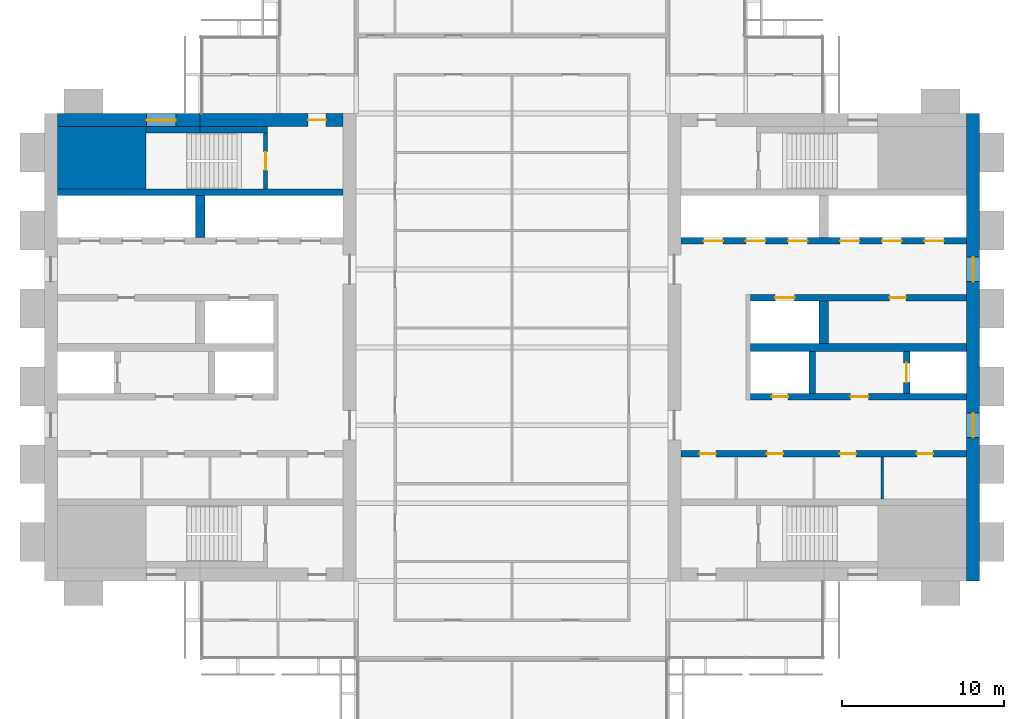
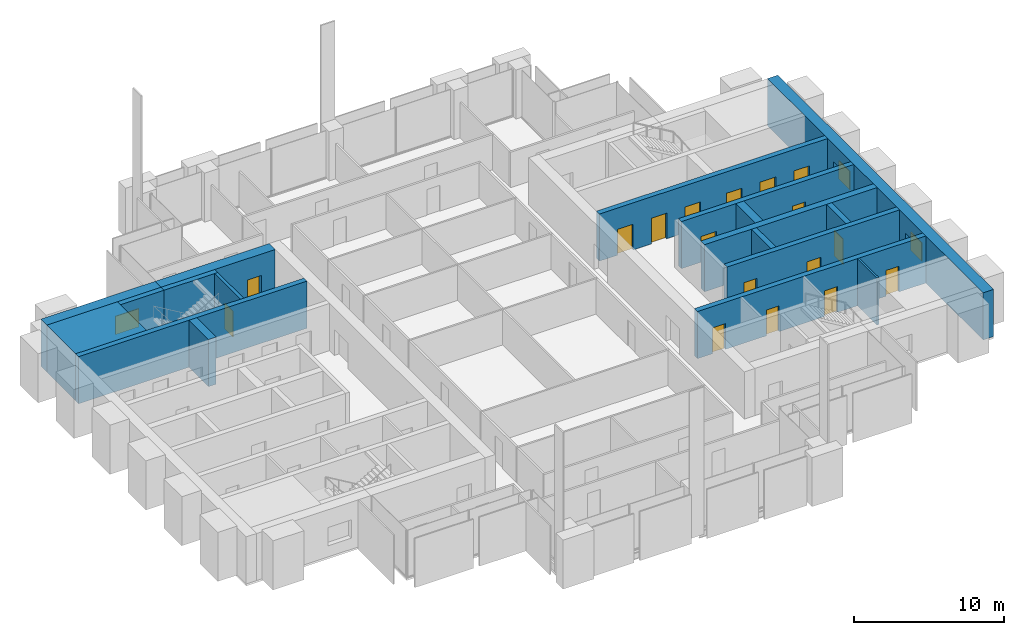
# One storey, part 10 of 13: 18 walls, 17 doors, 3 windows, 20 openings.
"""IFC4 building model written with IfcOpenShell, lengths in metres."""

from ifc_helpers import new_model, si_unit, direction, frame, frame_2d, origin, place, context, subcontext, project, spatial, rectangle, extrude, material, layer, layer_set, type_object, element, fill, save


model = new_model("IFC4")

# Units and contexts
model_context = context("Model", 3, precision=1e-05, world=origin(), true_north=direction((0.0, 1.0)))
body_context = subcontext(model_context, "Body", "Model", "MODEL_VIEW")
ifc_project = project(units=[si_unit("LENGTHUNIT", "METRE"), si_unit("AREAUNIT", "SQUARE_METRE"), si_unit("VOLUMEUNIT", "CUBIC_METRE"), si_unit("PLANEANGLEUNIT", "RADIAN"), si_unit("MASSUNIT", "GRAM", prefix="KILO")], contexts=[model_context])

# Site, building, storey
site_placement = place(None, origin())
site = spatial("IfcSite", under=ifc_project, at=site_placement, CompositionType="ELEMENT")
building_placement = place(site_placement, origin())
building = spatial("IfcBuilding", under=site, at=building_placement, Name="Baori Bourse Tower", CompositionType="ELEMENT")
storey_placement = place(building_placement, frame((0.0, 0.0, 201.199951171875)))
storey = spatial("IfcBuildingStorey", under=building, at=storey_placement, Name="L43", CompositionType="ELEMENT", Elevation=201.199951171875)

# Walls
ifc_material_1 = material(Name="Concrete f'c 50 MPa", Category="concrete")
wall_type_1 = type_object("IfcWallType", Name="Core corner block f'c 50", PredefinedType="SHEAR", material=ifc_material_1)
wall_1_placement = place(storey_placement, frame((0.800048828125, 35.675048828125, 0.0), z_axis=(0.0, 0.0, 1.0), x_axis=(1.0, 0.0, 0.0)))
element("IfcWall", 1, at=wall_1_placement, inside=storey, type_object=wall_type_1, Name="Core wall W24", PredefinedType="SHEAR", context=body_context, shape_type="SweptSolid", body=[
    extrude(rectangle(XDim=5.449951171875, YDim=3.85009765625, at=frame_2d((2.72509765625, 0.0))), origin(), (0.0, 0.0, 1.0), 3.840087890625),
])
ifc_material_2 = material(Name="Blockwork partition", Category="masonry")
ifc_layer_1 = layer(ifc_material_2, 0.14990234375)
ifc_layer_set_1 = layer_set([ifc_layer_1], Name="Core partition 150")
wall_type_2 = type_object("IfcWallType", Name="Core partition 150", PredefinedType="PARTITIONING", material=ifc_layer_set_1)
wall_2_placement = place(storey_placement, frame((51.60009765625, 14.64990234375, 0.0), z_axis=(0.0, 0.0, 1.0), x_axis=(0.0, 1.0, 0.0)))
element("IfcWall", 2, at=wall_2_placement, inside=storey, type_object=wall_type_2, Name="Partition wall E10", PredefinedType="PARTITIONING", context=body_context, shape_type="SweptSolid", body=[
    extrude(rectangle(XDim=2.60009765625, YDim=0.14990234375, at=frame_2d((1.300048828125, 0.0))), origin(), (0.0, 0.0, 1.0), 3.840087890625),
])

# Wall, opening, window
ifc_material_3 = material(Name="Concrete f'c 50 MPa", Category="concrete")
ifc_layer_2 = layer(ifc_material_3, 0.800048828125)
ifc_layer_set_2 = layer_set([ifc_layer_2], Name="Core wall 800 f'c 50")
wall_type_3 = type_object("IfcWallType", Name="Core wall 800 f'c 50", PredefinedType="SHEAR", material=ifc_layer_set_2)
wall_3_placement = place(storey_placement, frame((0.800048828125, 38.0, 0.0), z_axis=(0.0, 0.0, 1.0), x_axis=(1.0, 0.0, 0.0)))
wall_3 = element("IfcWall", 3, at=wall_3_placement, inside=storey, type_object=wall_type_3, Name="Core wall W28", PredefinedType="SHEAR", context=body_context, shape_type="SweptSolid", body=[
    extrude(rectangle(XDim=8.800048828125, YDim=0.800048828125, at=frame_2d((4.39990234375, 0.0))), origin(), (0.0, 0.0, 1.0), 3.840087890625),
])
opening_1_placement = place(wall_3_placement, frame((5.5, 0.0, 0.89990234375)))
opening_1 = element("IfcOpeningElement", 4, at=opening_1_placement, cuts=wall_3, Name="Opening L43-KW104", PredefinedType="OPENING", context=body_context, shape_type="SweptSolid", body=[
    extrude(rectangle(XDim=1.800048828125, YDim=1.5, at=frame_2d((0.89990234375, 0.75))), frame((0.0, 0.409912109375, 0.0), z_axis=(0.0, -1.0, 0.0), x_axis=(1.0, 0.0, 0.0)), (0.0, 0.0, 1.0), 0.820068359375),
])
ifc_material_4 = material(Name="Pale anodised aluminium", Category="aluminium")
window_type_1 = type_object("IfcWindowType", Name="Stair window 1800 x 1500", PartitioningType="SINGLE_PANEL", PredefinedType="WINDOW", material=ifc_material_4)
window_1_placement = place(opening_1_placement, origin())
window_1 = element("IfcWindow", 5, at=window_1_placement, inside=storey, type_object=window_type_1, Name="Stair window W L43 4", OverallHeight=1.5, OverallWidth=1.800048828125, PartitioningType="SINGLE_PANEL", PredefinedType="WINDOW", context=body_context, shape_type="SweptSolid", body=[
    extrude(rectangle(XDim=1.800048828125, YDim=1.5, at=frame_2d((0.89990234375, 0.75))), frame((0.0, 0.030029296875, 0.0), z_axis=(0.0, -1.0, 0.0), x_axis=(1.0, 0.0, 0.0)), (0.0, 0.0, 1.0), 0.06005859375),
])
fill(opening_1, window_1)

# Wall, opening, door
wall_4_placement = place(storey_placement, frame((9.60009765625, 38.0, 0.0), z_axis=(0.0, 0.0, 1.0), x_axis=(1.0, 0.0, 0.0)))
wall_4 = element("IfcWall", 6, at=wall_4_placement, inside=storey, type_object=wall_type_3, Name="Core wall W29", PredefinedType="SHEAR", context=body_context, shape_type="SweptSolid", body=[
    extrude(rectangle(XDim=8.7998046875, YDim=0.800048828125, at=frame_2d((4.39990234375, 0.0))), origin(), (0.0, 0.0, 1.0), 3.840087890625),
])
opening_2_placement = place(wall_4_placement, frame((6.64990234375, 0.0, 0.0)))
opening_2 = element("IfcOpeningElement", 7, at=opening_2_placement, cuts=wall_4, Name="Opening L43-D104", PredefinedType="OPENING", context=body_context, shape_type="SweptSolid", body=[
    extrude(rectangle(XDim=1.10009765625, YDim=2.10009765625, at=frame_2d((0.550048828125, 1.050048828125))), frame((0.0, 0.409912109375, 0.0), z_axis=(0.0, -1.0, 0.0), x_axis=(1.0, 0.0, 0.0)), (0.0, 0.0, 1.0), 0.820068359375),
])
ifc_material_5 = material(Name="Painted steel door", Category="steel")
door_type_1 = type_object("IfcDoorType", Name="Stair door 1100", OperationType="SINGLE_SWING_LEFT", PredefinedType="DOOR", material=ifc_material_5)
door_1_placement = place(opening_2_placement, origin())
door_1 = element("IfcDoor", 8, at=door_1_placement, inside=storey, type_object=door_type_1, Name="Stair vestibule door B W L43", OperationType="SINGLE_SWING_LEFT", OverallHeight=2.10009765625, OverallWidth=1.10009765625, PredefinedType="DOOR", context=body_context, shape_type="SweptSolid", body=[
    extrude(rectangle(XDim=1.10009765625, YDim=2.10009765625, at=frame_2d((0.550048828125, 1.050048828125))), frame((0.0, 0.02490234375, 0.0), z_axis=(0.0, -1.0, 0.0), x_axis=(1.0, 0.0, 0.0)), (0.0, 0.0, 1.0), 0.050048828125),
])
fill(opening_2, door_1)

# Wall, openings, windows
wall_5_placement = place(storey_placement, frame((57.199951171875, 38.39990234375, 0.0), z_axis=(0.0, 0.0, 1.0), x_axis=(0.0, -1.0, 0.0)))
wall_5 = element("IfcWall", 9, at=wall_5_placement, inside=storey, type_object=wall_type_3, Name="Core wall E01", PredefinedType="SHEAR", context=body_context, shape_type="SweptSolid", body=[
    extrude(rectangle(XDim=28.7998046875, YDim=0.800048828125, at=frame_2d((14.39990234375, 0.0))), origin(), (0.0, 0.0, 1.0), 3.840087890625),
])
opening_3_placement = place(wall_5_placement, frame((18.449951171875, 0.0, 0.89990234375)))
opening_3 = element("IfcOpeningElement", 10, at=opening_3_placement, cuts=wall_5, Name="Opening L43-KW201", PredefinedType="OPENING", context=body_context, shape_type="SweptSolid", body=[
    extrude(rectangle(XDim=1.5, YDim=1.5, at=frame_2d((0.75, 0.75))), frame((0.0, 0.409912109375, 0.0), z_axis=(0.0, -1.0, 0.0), x_axis=(1.0, 0.0, 0.0)), (0.0, 0.0, 1.0), 0.820068359375),
])
opening_4_placement = place(wall_5_placement, frame((8.85009765625, 0.0, 0.89990234375)))
opening_4 = element("IfcOpeningElement", 11, at=opening_4_placement, cuts=wall_5, Name="Opening L43-KW202", PredefinedType="OPENING", context=body_context, shape_type="SweptSolid", body=[
    extrude(rectangle(XDim=1.5, YDim=1.5, at=frame_2d((0.75, 0.75))), frame((0.0, 0.409912109375, 0.0), z_axis=(0.0, -1.0, 0.0), x_axis=(1.0, 0.0, 0.0)), (0.0, 0.0, 1.0), 0.820068359375),
])
ifc_material_6 = material(Name="Pale anodised aluminium", Category="aluminium")
window_type_2 = type_object("IfcWindowType", Name="Lobby window 1500 x 1500", PartitioningType="SINGLE_PANEL", PredefinedType="WINDOW", material=ifc_material_6)
window_2_placement = place(opening_3_placement, origin())
window_2 = element("IfcWindow", 12, at=window_2_placement, inside=storey, type_object=window_type_2, Name="Outer wall window E L43 1", OverallHeight=1.5, OverallWidth=1.5, PartitioningType="SINGLE_PANEL", PredefinedType="WINDOW", context=body_context, shape_type="SweptSolid", body=[
    extrude(rectangle(XDim=1.5, YDim=1.5, at=frame_2d((0.75, 0.75))), frame((0.0, 0.030029296875, 0.0), z_axis=(0.0, -1.0, 0.0), x_axis=(1.0, 0.0, 0.0)), (0.0, 0.0, 1.0), 0.06005859375),
])
fill(opening_3, window_2)
window_3_placement = place(opening_4_placement, origin())
window_3 = element("IfcWindow", 13, at=window_3_placement, inside=storey, type_object=window_type_2, Name="Outer wall window E L43 2", OverallHeight=1.5, OverallWidth=1.5, PartitioningType="SINGLE_PANEL", PredefinedType="WINDOW", context=body_context, shape_type="SweptSolid", body=[
    extrude(rectangle(XDim=1.5, YDim=1.5, at=frame_2d((0.75, 0.75))), frame((0.0, 0.030029296875, 0.0), z_axis=(0.0, -1.0, 0.0), x_axis=(1.0, 0.0, 0.0)), (0.0, 0.0, 1.0), 0.06005859375),
])
fill(opening_4, window_3)

# Wall, opening, door
ifc_material_7 = material(Name="Concrete f'c 50 MPa", Category="concrete")
ifc_layer_3 = layer(ifc_material_7, 0.25)
ifc_layer_set_3 = layer_set([ifc_layer_3], Name="Shaft wall 250 f'c 50")
wall_type_4 = type_object("IfcWallType", Name="Shaft wall 250 f'c 50", PredefinedType="SHEAR", material=ifc_layer_set_3)
wall_6_placement = place(storey_placement, frame((13.625, 33.75, 0.0), z_axis=(0.0, 0.0, 1.0), x_axis=(0.0, 1.0, 0.0)))
wall_6 = element("IfcWall", 14, at=wall_6_placement, inside=storey, type_object=wall_type_4, Name="Core wall W25", PredefinedType="SHEAR", context=body_context, shape_type="SweptSolid", body=[
    extrude(rectangle(XDim=3.449951171875, YDim=0.25, at=frame_2d((1.72509765625, 0.0))), origin(), (0.0, 0.0, 1.0), 3.840087890625),
])
opening_5_placement = place(wall_6_placement, frame((1.175048828125, 0.0, 0.0)))
opening_5 = element("IfcOpeningElement", 15, at=opening_5_placement, cuts=wall_6, Name="Opening L43-D103", PredefinedType="OPENING", context=body_context, shape_type="SweptSolid", body=[
    extrude(rectangle(XDim=1.10009765625, YDim=2.10009765625, at=frame_2d((0.550048828125, 1.050048828125))), frame((0.0, 0.135009765625, 0.0), z_axis=(0.0, -1.0, 0.0), x_axis=(1.0, 0.0, 0.0)), (0.0, 0.0, 1.0), 0.27001953125),
])
door_2_placement = place(opening_5_placement, origin())
door_2 = element("IfcDoor", 16, at=door_2_placement, inside=storey, type_object=door_type_1, Name="Stair door B W L43", OperationType="SINGLE_SWING_LEFT", OverallHeight=2.10009765625, OverallWidth=1.10009765625, PredefinedType="DOOR", context=body_context, shape_type="SweptSolid", body=[
    extrude(rectangle(XDim=1.10009765625, YDim=2.10009765625, at=frame_2d((0.550048828125, 1.050048828125))), frame((0.0, 0.02490234375, 0.0), z_axis=(0.0, -1.0, 0.0), x_axis=(1.0, 0.0, 0.0)), (0.0, 0.0, 1.0), 0.050048828125),
])
fill(opening_5, door_2)

# Walls
ifc_material_8 = material(Name="Concrete f'c 50 MPa", Category="concrete")
ifc_layer_4 = layer(ifc_material_8, 0.39990234375)
ifc_layer_set_4 = layer_set([ifc_layer_4], Name="Shaft wall 400 f'c 50")
wall_type_5 = type_object("IfcWallType", Name="Shaft wall 400 f'c 50", PredefinedType="SHEAR", material=ifc_layer_set_4)
wall_7_placement = place(storey_placement, frame((0.800048828125, 33.550048828125, 0.0), z_axis=(0.0, 0.0, 1.0), x_axis=(1.0, 0.0, 0.0)))
element("IfcWall", 17, at=wall_7_placement, inside=storey, type_object=wall_type_5, Name="Core wall W23", PredefinedType="SHEAR", context=body_context, shape_type="SweptSolid", body=[
    extrude(rectangle(XDim=17.599853515625, YDim=0.39990234375, at=frame_2d((8.7998046875, 0.0))), origin(), (0.0, 0.0, 1.0), 3.840087890625),
])
wall_8_placement = place(storey_placement, frame((6.25, 37.39990234375, 0.0), z_axis=(0.0, 0.0, 1.0), x_axis=(1.0, 0.0, 0.0)))
element("IfcWall", 18, at=wall_8_placement, inside=storey, type_object=wall_type_5, Name="Core wall W26", PredefinedType="SHEAR", context=body_context, shape_type="SweptSolid", body=[
    extrude(rectangle(XDim=3.35009765625, YDim=0.39990234375, at=frame_2d((1.675048828125, 0.0))), origin(), (0.0, 0.0, 1.0), 3.840087890625),
])
wall_9_placement = place(storey_placement, frame((9.60009765625, 37.39990234375, 0.0), z_axis=(0.0, 0.0, 1.0), x_axis=(1.0, 0.0, 0.0)))
element("IfcWall", 19, at=wall_9_placement, inside=storey, type_object=wall_type_5, Name="Core wall W27", PredefinedType="SHEAR", context=body_context, shape_type="SweptSolid", body=[
    extrude(rectangle(XDim=4.14990234375, YDim=0.39990234375, at=frame_2d((2.074951171875, 0.0))), origin(), (0.0, 0.0, 1.0), 3.840087890625),
])

# Wall, openings, doors
wall_10_placement = place(storey_placement, frame((39.199951171875, 17.449951171875, 0.0), z_axis=(0.0, 0.0, 1.0), x_axis=(1.0, 0.0, 0.0)))
wall_10 = element("IfcWall", 20, at=wall_10_placement, inside=storey, type_object=wall_type_5, Name="Core wall E13", PredefinedType="SHEAR", context=body_context, shape_type="SweptSolid", body=[
    extrude(rectangle(XDim=17.60009765625, YDim=0.39990234375, at=frame_2d((8.800048828125, 0.0))), origin(), (0.0, 0.0, 1.0), 3.840087890625),
])
opening_6_placement = place(wall_10_placement, frame((14.53759765625, 0.0, 0.0)))
opening_6 = element("IfcOpeningElement", 21, at=opening_6_placement, cuts=wall_10, Name="Opening L43-D209", PredefinedType="OPENING", context=body_context, shape_type="SweptSolid", body=[
    extrude(rectangle(XDim=1.0, YDim=2.10009765625, at=frame_2d((0.5, 1.050048828125))), frame((0.0, 0.2099609375, 0.0), z_axis=(0.0, -1.0, 0.0), x_axis=(1.0, 0.0, 0.0)), (0.0, 0.0, 1.0), 0.419921875),
])
opening_7_placement = place(wall_10_placement, frame((9.800048828125, 0.0, 0.0)))
opening_7 = element("IfcOpeningElement", 22, at=opening_7_placement, cuts=wall_10, Name="Opening L43-D210", PredefinedType="OPENING", context=body_context, shape_type="SweptSolid", body=[
    extrude(rectangle(XDim=1.0, YDim=2.10009765625, at=frame_2d((0.5, 1.050048828125))), frame((0.0, 0.2099609375, 0.0), z_axis=(0.0, -1.0, 0.0), x_axis=(1.0, 0.0, 0.0)), (0.0, 0.0, 1.0), 0.419921875),
])
opening_8_placement = place(wall_10_placement, frame((5.300048828125, 0.0, 0.0)))
opening_8 = element("IfcOpeningElement", 23, at=opening_8_placement, cuts=wall_10, Name="Opening L43-D211", PredefinedType="OPENING", context=body_context, shape_type="SweptSolid", body=[
    extrude(rectangle(XDim=1.0, YDim=2.10009765625, at=frame_2d((0.5, 1.050048828125))), frame((0.0, 0.2099609375, 0.0), z_axis=(0.0, -1.0, 0.0), x_axis=(1.0, 0.0, 0.0)), (0.0, 0.0, 1.0), 0.419921875),
])
opening_9_placement = place(wall_10_placement, frame((1.16259765625, 0.0, 0.0)))
opening_9 = element("IfcOpeningElement", 24, at=opening_9_placement, cuts=wall_10, Name="Opening L43-D212", PredefinedType="OPENING", context=body_context, shape_type="SweptSolid", body=[
    extrude(rectangle(XDim=1.0, YDim=2.10009765625, at=frame_2d((0.5, 1.050048828125))), frame((0.0, 0.2099609375, 0.0), z_axis=(0.0, -1.0, 0.0), x_axis=(1.0, 0.0, 0.0)), (0.0, 0.0, 1.0), 0.419921875),
])
ifc_material_9 = material(Name="Painted steel door", Category="steel")
door_type_2 = type_object("IfcDoorType", Name="Core door 1000", OperationType="SINGLE_SWING_LEFT", PredefinedType="DOOR", material=ifc_material_9)
door_3_placement = place(opening_6_placement, origin())
door_3 = element("IfcDoor", 25, at=door_3_placement, inside=storey, type_object=door_type_2, Name="Men'S Wc door E L43", OperationType="SINGLE_SWING_LEFT", OverallHeight=2.10009765625, OverallWidth=1.0, PredefinedType="DOOR", context=body_context, shape_type="SweptSolid", body=[
    extrude(rectangle(XDim=1.0, YDim=2.10009765625, at=frame_2d((0.5, 1.050048828125))), frame((0.0, 0.02490234375, 0.0), z_axis=(0.0, -1.0, 0.0), x_axis=(1.0, 0.0, 0.0)), (0.0, 0.0, 1.0), 0.050048828125),
])
fill(opening_6, door_3)
door_4_placement = place(opening_7_placement, origin())
door_4 = element("IfcDoor", 26, at=door_4_placement, inside=storey, type_object=door_type_2, Name="Accessible Wc door E L43", OperationType="SINGLE_SWING_LEFT", OverallHeight=2.10009765625, OverallWidth=1.0, PredefinedType="DOOR", context=body_context, shape_type="SweptSolid", body=[
    extrude(rectangle(XDim=1.0, YDim=2.10009765625, at=frame_2d((0.5, 1.050048828125))), frame((0.0, 0.02490234375, 0.0), z_axis=(0.0, -1.0, 0.0), x_axis=(1.0, 0.0, 0.0)), (0.0, 0.0, 1.0), 0.050048828125),
])
fill(opening_7, door_4)
door_5_placement = place(opening_8_placement, origin())
door_5 = element("IfcDoor", 27, at=door_5_placement, inside=storey, type_object=door_type_2, Name="Women'S Wc door E L43", OperationType="SINGLE_SWING_LEFT", OverallHeight=2.10009765625, OverallWidth=1.0, PredefinedType="DOOR", context=body_context, shape_type="SweptSolid", body=[
    extrude(rectangle(XDim=1.0, YDim=2.10009765625, at=frame_2d((0.5, 1.050048828125))), frame((0.0, 0.02490234375, 0.0), z_axis=(0.0, -1.0, 0.0), x_axis=(1.0, 0.0, 0.0)), (0.0, 0.0, 1.0), 0.050048828125),
])
fill(opening_8, door_5)
ifc_material_10 = material(Name="Painted steel door", Category="steel")
door_type_3 = type_object("IfcDoorType", Name="Plant room door 1000", OperationType="SINGLE_SWING_LEFT", PredefinedType="DOOR", material=ifc_material_10)
door_6_placement = place(opening_9_placement, origin())
door_6 = element("IfcDoor", 28, at=door_6_placement, inside=storey, type_object=door_type_3, Name="Plumbing Equipment Room door E L43", OperationType="SINGLE_SWING_LEFT", OverallHeight=2.10009765625, OverallWidth=1.0, PredefinedType="DOOR", context=body_context, shape_type="SweptSolid", body=[
    extrude(rectangle(XDim=1.0, YDim=2.10009765625, at=frame_2d((0.5, 1.050048828125))), frame((0.0, 0.02490234375, 0.0), z_axis=(0.0, -1.0, 0.0), x_axis=(1.0, 0.0, 0.0)), (0.0, 0.0, 1.0), 0.050048828125),
])
fill(opening_9, door_6)

wall_11_placement = place(storey_placement, frame((43.5, 20.949951171875, 0.0), z_axis=(0.0, 0.0, 1.0), x_axis=(1.0, 0.0, 0.0)))
wall_11 = element("IfcWall", 29, at=wall_11_placement, inside=storey, type_object=wall_type_5, Name="Core wall E14", PredefinedType="SHEAR", context=body_context, shape_type="SweptSolid", body=[
    extrude(rectangle(XDim=13.300048828125, YDim=0.39990234375, at=frame_2d((6.64990234375, 0.0))), origin(), (0.0, 0.0, 1.0), 3.840087890625),
])
opening_10_placement = place(wall_11_placement, frame((6.14990234375, 0.0, 0.0)))
opening_10 = element("IfcOpeningElement", 30, at=opening_10_placement, cuts=wall_11, Name="Opening L43-D205", PredefinedType="OPENING", context=body_context, shape_type="SweptSolid", body=[
    extrude(rectangle(XDim=1.10009765625, YDim=2.10009765625, at=frame_2d((0.550048828125, 1.050048828125))), frame((0.0, 0.2099609375, 0.0), z_axis=(0.0, -1.0, 0.0), x_axis=(1.0, 0.0, 0.0)), (0.0, 0.0, 1.0), 0.419921875),
])
opening_11_placement = place(wall_11_placement, frame((1.300048828125, 0.0, 0.0)))
opening_11 = element("IfcOpeningElement", 31, at=opening_11_placement, cuts=wall_11, Name="Opening L43-D206", PredefinedType="OPENING", context=body_context, shape_type="SweptSolid", body=[
    extrude(rectangle(XDim=1.0, YDim=2.10009765625, at=frame_2d((0.5, 1.050048828125))), frame((0.0, 0.2099609375, 0.0), z_axis=(0.0, -1.0, 0.0), x_axis=(1.0, 0.0, 0.0)), (0.0, 0.0, 1.0), 0.419921875),
])
ifc_material_11 = material(Name="Painted steel door", Category="steel")
door_type_4 = type_object("IfcDoorType", Name="Lobby door 1100", OperationType="SINGLE_SWING_LEFT", PredefinedType="DOOR", material=ifc_material_11)
door_7_placement = place(opening_10_placement, origin())
door_7 = element("IfcDoor", 32, at=door_7_placement, inside=storey, type_object=door_type_4, Name="Firefighting lobby door E L43", OperationType="SINGLE_SWING_LEFT", OverallHeight=2.10009765625, OverallWidth=1.10009765625, PredefinedType="DOOR", context=body_context, shape_type="SweptSolid", body=[
    extrude(rectangle(XDim=1.10009765625, YDim=2.10009765625, at=frame_2d((0.550048828125, 1.050048828125))), frame((0.0, 0.02490234375, 0.0), z_axis=(0.0, -1.0, 0.0), x_axis=(1.0, 0.0, 0.0)), (0.0, 0.0, 1.0), 0.050048828125),
])
fill(opening_10, door_7)
ifc_material_12 = material(Name="Painted steel door", Category="steel")
door_type_5 = type_object("IfcDoorType", Name="Shaft door 1000", OperationType="SINGLE_SWING_LEFT", PredefinedType="DOOR", material=ifc_material_12)
door_8_placement = place(opening_11_placement, origin())
door_8 = element("IfcDoor", 33, at=door_8_placement, inside=storey, type_object=door_type_5, Name="Riser room door E L43", OperationType="SINGLE_SWING_LEFT", OverallHeight=2.10009765625, OverallWidth=1.0, PredefinedType="DOOR", context=body_context, shape_type="SweptSolid", body=[
    extrude(rectangle(XDim=1.0, YDim=2.10009765625, at=frame_2d((0.5, 1.050048828125))), frame((0.0, 0.02490234375, 0.0), z_axis=(0.0, -1.0, 0.0), x_axis=(1.0, 0.0, 0.0)), (0.0, 0.0, 1.0), 0.050048828125),
])
fill(opening_11, door_8)

# Wall, opening, door
wall_12_placement = place(storey_placement, frame((53.10009765625, 21.14990234375, 0.0), z_axis=(0.0, 0.0, 1.0), x_axis=(0.0, 1.0, 0.0)))
wall_12 = element("IfcWall", 34, at=wall_12_placement, inside=storey, type_object=wall_type_5, Name="Core wall E16", PredefinedType="SHEAR", context=body_context, shape_type="SweptSolid", body=[
    extrude(rectangle(XDim=2.60009765625, YDim=0.39990234375, at=frame_2d((1.300048828125, 0.0))), origin(), (0.0, 0.0, 1.0), 3.840087890625),
])
opening_12_placement = place(wall_12_placement, frame((0.699951171875, 0.0, 0.0)))
opening_12 = element("IfcOpeningElement", 35, at=opening_12_placement, cuts=wall_12, Name="Opening L43-D221", PredefinedType="OPENING", context=body_context, shape_type="SweptSolid", body=[
    extrude(rectangle(XDim=1.199951171875, YDim=2.10009765625, at=frame_2d((0.60009765625, 1.050048828125))), frame((0.0, 0.2099609375, 0.0), z_axis=(0.0, -1.0, 0.0), x_axis=(1.0, 0.0, 0.0)), (0.0, 0.0, 1.0), 0.419921875),
])
ifc_material_13 = material(Name="Stainless steel door", Category="steel")
door_type_6 = type_object("IfcDoorType", Name="Lift landing door", OperationType="DOUBLE_DOOR_SLIDING", PredefinedType="DOOR", material=ifc_material_13)
door_9_placement = place(opening_12_placement, origin())
door_9 = element("IfcDoor", 36, at=door_9_placement, inside=storey, type_object=door_type_6, Name="Lift landing door FF2 E L43", OperationType="DOUBLE_DOOR_SLIDING", OverallHeight=2.10009765625, OverallWidth=1.199951171875, PredefinedType="DOOR", context=body_context, shape_type="SweptSolid", body=[
    extrude(rectangle(XDim=1.199951171875, YDim=2.10009765625, at=frame_2d((0.60009765625, 1.050048828125))), frame((0.0, 0.02490234375, 0.0), z_axis=(0.0, -1.0, 0.0), x_axis=(1.0, 0.0, 0.0)), (0.0, 0.0, 1.0), 0.050048828125),
])
fill(opening_12, door_9)

# Wall
wall_13_placement = place(storey_placement, frame((47.300048828125, 21.14990234375, 0.0), z_axis=(0.0, 0.0, 1.0), x_axis=(0.0, 1.0, 0.0)))
element("IfcWall", 37, at=wall_13_placement, inside=storey, type_object=wall_type_5, Name="Core wall E17", PredefinedType="SHEAR", context=body_context, shape_type="SweptSolid", body=[
    extrude(rectangle(XDim=2.60009765625, YDim=0.39990234375, at=frame_2d((1.300048828125, 0.0))), origin(), (0.0, 0.0, 1.0), 3.840087890625),
])

# Wall, openings, doors
wall_14_placement = place(storey_placement, frame((43.5, 27.050048828125, 0.0), z_axis=(0.0, 0.0, 1.0), x_axis=(1.0, 0.0, 0.0)))
wall_14 = element("IfcWall", 38, at=wall_14_placement, inside=storey, type_object=wall_type_5, Name="Core wall E20", PredefinedType="SHEAR", context=body_context, shape_type="SweptSolid", body=[
    extrude(rectangle(XDim=13.300048828125, YDim=0.39990234375, at=frame_2d((6.64990234375, 0.0))), origin(), (0.0, 0.0, 1.0), 3.840087890625),
])
opening_13_placement = place(wall_14_placement, frame((8.550048828125, 0.0, 0.0)))
opening_13 = element("IfcOpeningElement", 39, at=opening_13_placement, cuts=wall_14, Name="Opening L43-D213", PredefinedType="OPENING", context=body_context, shape_type="SweptSolid", body=[
    extrude(rectangle(XDim=1.0, YDim=2.10009765625, at=frame_2d((0.5, 1.050048828125))), frame((0.0, 0.2099609375, 0.0), z_axis=(0.0, -1.0, 0.0), x_axis=(1.0, 0.0, 0.0)), (0.0, 0.0, 1.0), 0.419921875),
])
opening_14_placement = place(wall_14_placement, frame((1.5, 0.0, 0.0)))
opening_14 = element("IfcOpeningElement", 40, at=opening_14_placement, cuts=wall_14, Name="Opening L43-D220", PredefinedType="OPENING", context=body_context, shape_type="SweptSolid", body=[
    extrude(rectangle(XDim=1.199951171875, YDim=2.10009765625, at=frame_2d((0.60009765625, 1.050048828125))), frame((0.0, 0.2099609375, 0.0), z_axis=(0.0, -1.0, 0.0), x_axis=(1.0, 0.0, 0.0)), (0.0, 0.0, 1.0), 0.419921875),
])
door_10_placement = place(opening_13_placement, origin())
door_10 = element("IfcDoor", 41, at=door_10_placement, inside=storey, type_object=door_type_2, Name="Store Room door E L43", OperationType="SINGLE_SWING_LEFT", OverallHeight=2.10009765625, OverallWidth=1.0, PredefinedType="DOOR", context=body_context, shape_type="SweptSolid", body=[
    extrude(rectangle(XDim=1.0, YDim=2.10009765625, at=frame_2d((0.5, 1.050048828125))), frame((0.0, 0.02490234375, 0.0), z_axis=(0.0, -1.0, 0.0), x_axis=(1.0, 0.0, 0.0)), (0.0, 0.0, 1.0), 0.050048828125),
])
fill(opening_13, door_10)
door_11_placement = place(opening_14_placement, origin())
door_11 = element("IfcDoor", 42, at=door_11_placement, inside=storey, type_object=door_type_6, Name="Lift landing door SV1 E L43", OperationType="DOUBLE_DOOR_SLIDING", OverallHeight=2.10009765625, OverallWidth=1.199951171875, PredefinedType="DOOR", context=body_context, shape_type="SweptSolid", body=[
    extrude(rectangle(XDim=1.199951171875, YDim=2.10009765625, at=frame_2d((0.60009765625, 1.050048828125))), frame((0.0, 0.02490234375, 0.0), z_axis=(0.0, -1.0, 0.0), x_axis=(1.0, 0.0, 0.0)), (0.0, 0.0, 1.0), 0.050048828125),
])
fill(opening_14, door_11)

wall_15_placement = place(storey_placement, frame((39.199951171875, 30.550048828125, 0.0), z_axis=(0.0, 0.0, 1.0), x_axis=(1.0, 0.0, 0.0)))
wall_15 = element("IfcWall", 43, at=wall_15_placement, inside=storey, type_object=wall_type_5, Name="Core wall E21", PredefinedType="SHEAR", context=body_context, shape_type="SweptSolid", body=[
    extrude(rectangle(XDim=17.60009765625, YDim=0.39990234375, at=frame_2d((8.800048828125, 0.0))), origin(), (0.0, 0.0, 1.0), 3.840087890625),
])
opening_15_placement = place(wall_15_placement, frame((15.0, 0.0, 0.0)))
opening_15 = element("IfcOpeningElement", 44, at=opening_15_placement, cuts=wall_15, Name="Opening L43-D214", PredefinedType="OPENING", context=body_context, shape_type="SweptSolid", body=[
    extrude(rectangle(XDim=1.199951171875, YDim=2.10009765625, at=frame_2d((0.60009765625, 1.050048828125))), frame((0.0, 0.2099609375, 0.0), z_axis=(0.0, -1.0, 0.0), x_axis=(1.0, 0.0, 0.0)), (0.0, 0.0, 1.0), 0.419921875),
])
opening_16_placement = place(wall_15_placement, frame((12.39990234375, 0.0, 0.0)))
opening_16 = element("IfcOpeningElement", 45, at=opening_16_placement, cuts=wall_15, Name="Opening L43-D215", PredefinedType="OPENING", context=body_context, shape_type="SweptSolid", body=[
    extrude(rectangle(XDim=1.199951171875, YDim=2.10009765625, at=frame_2d((0.60009765625, 1.050048828125))), frame((0.0, 0.2099609375, 0.0), z_axis=(0.0, -1.0, 0.0), x_axis=(1.0, 0.0, 0.0)), (0.0, 0.0, 1.0), 0.419921875),
])
opening_17_placement = place(wall_15_placement, frame((9.800048828125, 0.0, 0.0)))
opening_17 = element("IfcOpeningElement", 46, at=opening_17_placement, cuts=wall_15, Name="Opening L43-D216", PredefinedType="OPENING", context=body_context, shape_type="SweptSolid", body=[
    extrude(rectangle(XDim=1.199951171875, YDim=2.10009765625, at=frame_2d((0.60009765625, 1.050048828125))), frame((0.0, 0.2099609375, 0.0), z_axis=(0.0, -1.0, 0.0), x_axis=(1.0, 0.0, 0.0)), (0.0, 0.0, 1.0), 0.419921875),
])
opening_18_placement = place(wall_15_placement, frame((6.60009765625, 0.0, 0.0)))
opening_18 = element("IfcOpeningElement", 47, at=opening_18_placement, cuts=wall_15, Name="Opening L43-D217", PredefinedType="OPENING", context=body_context, shape_type="SweptSolid", body=[
    extrude(rectangle(XDim=1.199951171875, YDim=2.10009765625, at=frame_2d((0.60009765625, 1.050048828125))), frame((0.0, 0.2099609375, 0.0), z_axis=(0.0, -1.0, 0.0), x_axis=(1.0, 0.0, 0.0)), (0.0, 0.0, 1.0), 0.419921875),
])
opening_19_placement = place(wall_15_placement, frame((4.0, 0.0, 0.0)))
opening_19 = element("IfcOpeningElement", 48, at=opening_19_placement, cuts=wall_15, Name="Opening L43-D218", PredefinedType="OPENING", context=body_context, shape_type="SweptSolid", body=[
    extrude(rectangle(XDim=1.199951171875, YDim=2.10009765625, at=frame_2d((0.60009765625, 1.050048828125))), frame((0.0, 0.2099609375, 0.0), z_axis=(0.0, -1.0, 0.0), x_axis=(1.0, 0.0, 0.0)), (0.0, 0.0, 1.0), 0.419921875),
])
opening_20_placement = place(wall_15_placement, frame((1.39990234375, 0.0, 0.0)))
opening_20 = element("IfcOpeningElement", 49, at=opening_20_placement, cuts=wall_15, Name="Opening L43-D219", PredefinedType="OPENING", context=body_context, shape_type="SweptSolid", body=[
    extrude(rectangle(XDim=1.199951171875, YDim=2.10009765625, at=frame_2d((0.60009765625, 1.050048828125))), frame((0.0, 0.2099609375, 0.0), z_axis=(0.0, -1.0, 0.0), x_axis=(1.0, 0.0, 0.0)), (0.0, 0.0, 1.0), 0.419921875),
])
door_12_placement = place(opening_15_placement, origin())
door_12 = element("IfcDoor", 50, at=door_12_placement, inside=storey, type_object=door_type_6, Name="Lift landing door HR1 E L43", OperationType="DOUBLE_DOOR_SLIDING", OverallHeight=2.10009765625, OverallWidth=1.199951171875, PredefinedType="DOOR", context=body_context, shape_type="SweptSolid", body=[
    extrude(rectangle(XDim=1.199951171875, YDim=2.10009765625, at=frame_2d((0.60009765625, 1.050048828125))), frame((0.0, 0.02490234375, 0.0), z_axis=(0.0, -1.0, 0.0), x_axis=(1.0, 0.0, 0.0)), (0.0, 0.0, 1.0), 0.050048828125),
])
fill(opening_15, door_12)
door_13_placement = place(opening_16_placement, origin())
door_13 = element("IfcDoor", 51, at=door_13_placement, inside=storey, type_object=door_type_6, Name="Lift landing door HR2 E L43", OperationType="DOUBLE_DOOR_SLIDING", OverallHeight=2.10009765625, OverallWidth=1.199951171875, PredefinedType="DOOR", context=body_context, shape_type="SweptSolid", body=[
    extrude(rectangle(XDim=1.199951171875, YDim=2.10009765625, at=frame_2d((0.60009765625, 1.050048828125))), frame((0.0, 0.02490234375, 0.0), z_axis=(0.0, -1.0, 0.0), x_axis=(1.0, 0.0, 0.0)), (0.0, 0.0, 1.0), 0.050048828125),
])
fill(opening_16, door_13)
door_14_placement = place(opening_17_placement, origin())
door_14 = element("IfcDoor", 52, at=door_14_placement, inside=storey, type_object=door_type_6, Name="Lift landing door HR3 E L43", OperationType="DOUBLE_DOOR_SLIDING", OverallHeight=2.10009765625, OverallWidth=1.199951171875, PredefinedType="DOOR", context=body_context, shape_type="SweptSolid", body=[
    extrude(rectangle(XDim=1.199951171875, YDim=2.10009765625, at=frame_2d((0.60009765625, 1.050048828125))), frame((0.0, 0.02490234375, 0.0), z_axis=(0.0, -1.0, 0.0), x_axis=(1.0, 0.0, 0.0)), (0.0, 0.0, 1.0), 0.050048828125),
])
fill(opening_17, door_14)
door_15_placement = place(opening_18_placement, origin())
door_15 = element("IfcDoor", 53, at=door_15_placement, inside=storey, type_object=door_type_6, Name="Lift landing door HR4 E L43", OperationType="DOUBLE_DOOR_SLIDING", OverallHeight=2.10009765625, OverallWidth=1.199951171875, PredefinedType="DOOR", context=body_context, shape_type="SweptSolid", body=[
    extrude(rectangle(XDim=1.199951171875, YDim=2.10009765625, at=frame_2d((0.60009765625, 1.050048828125))), frame((0.0, 0.02490234375, 0.0), z_axis=(0.0, -1.0, 0.0), x_axis=(1.0, 0.0, 0.0)), (0.0, 0.0, 1.0), 0.050048828125),
])
fill(opening_18, door_15)
door_16_placement = place(opening_19_placement, origin())
door_16 = element("IfcDoor", 54, at=door_16_placement, inside=storey, type_object=door_type_6, Name="Lift landing door HR5 E L43", OperationType="DOUBLE_DOOR_SLIDING", OverallHeight=2.10009765625, OverallWidth=1.199951171875, PredefinedType="DOOR", context=body_context, shape_type="SweptSolid", body=[
    extrude(rectangle(XDim=1.199951171875, YDim=2.10009765625, at=frame_2d((0.60009765625, 1.050048828125))), frame((0.0, 0.02490234375, 0.0), z_axis=(0.0, -1.0, 0.0), x_axis=(1.0, 0.0, 0.0)), (0.0, 0.0, 1.0), 0.050048828125),
])
fill(opening_19, door_16)
door_17_placement = place(opening_20_placement, origin())
door_17 = element("IfcDoor", 55, at=door_17_placement, inside=storey, type_object=door_type_6, Name="Lift landing door HR6 E L43", OperationType="DOUBLE_DOOR_SLIDING", OverallHeight=2.10009765625, OverallWidth=1.199951171875, PredefinedType="DOOR", context=body_context, shape_type="SweptSolid", body=[
    extrude(rectangle(XDim=1.199951171875, YDim=2.10009765625, at=frame_2d((0.60009765625, 1.050048828125))), frame((0.0, 0.02490234375, 0.0), z_axis=(0.0, -1.0, 0.0), x_axis=(1.0, 0.0, 0.0)), (0.0, 0.0, 1.0), 0.050048828125),
])
fill(opening_20, door_17)

# Walls
ifc_material_14 = material(Name="Concrete f'c 50 MPa", Category="concrete")
ifc_layer_5 = layer(ifc_material_14, 0.5)
ifc_layer_set_5 = layer_set([ifc_layer_5], Name="Shaft wall 500 f'c 50")
wall_type_6 = type_object("IfcWallType", Name="Shaft wall 500 f'c 50", PredefinedType="SHEAR", material=ifc_layer_set_5)
wall_16_placement = place(storey_placement, frame((43.5, 24.0, 0.0), z_axis=(0.0, 0.0, 1.0), x_axis=(1.0, 0.0, 0.0)))
element("IfcWall", 56, at=wall_16_placement, inside=storey, type_object=wall_type_6, Name="Core wall E18", PredefinedType="SHEAR", context=body_context, shape_type="SweptSolid", body=[
    extrude(rectangle(XDim=13.300048828125, YDim=0.5, at=frame_2d((6.64990234375, 0.0))), origin(), (0.0, 0.0, 1.0), 3.840087890625),
])
ifc_material_15 = material(Name="Concrete f'c 50 MPa", Category="concrete")
ifc_layer_6 = layer(ifc_material_15, 0.60009765625)
ifc_layer_set_6 = layer_set([ifc_layer_6], Name="Shaft wall 600 f'c 50")
wall_type_7 = type_object("IfcWallType", Name="Shaft wall 600 f'c 50", PredefinedType="SHEAR", material=ifc_layer_set_6)
for number, where, z_axis, x_axis, name in (
    (57, (9.60009765625, 30.75, 0.0), (0.0, 0.0, 1.0), (0.0, 1.0, 0.0), "Core wall W22"),
    (58, (48.0, 24.25, 0.0), (0.0, 0.0, 1.0), (0.0, 1.0, 0.0), "Core wall E19"),
):
    element("IfcWall", number, at=place(storey_placement, frame(where, z_axis=z_axis, x_axis=x_axis)), inside=storey, type_object=wall_type_7, Name=name, PredefinedType="SHEAR", context=body_context, shape_type="SweptSolid", body=[
        extrude(rectangle(XDim=2.60009765625, YDim=0.60009765625, at=frame_2d((1.300048828125, 0.0))), origin(), (0.0, 0.0, 1.0), 3.840087890625),
    ])

save(model, "model.ifc")
